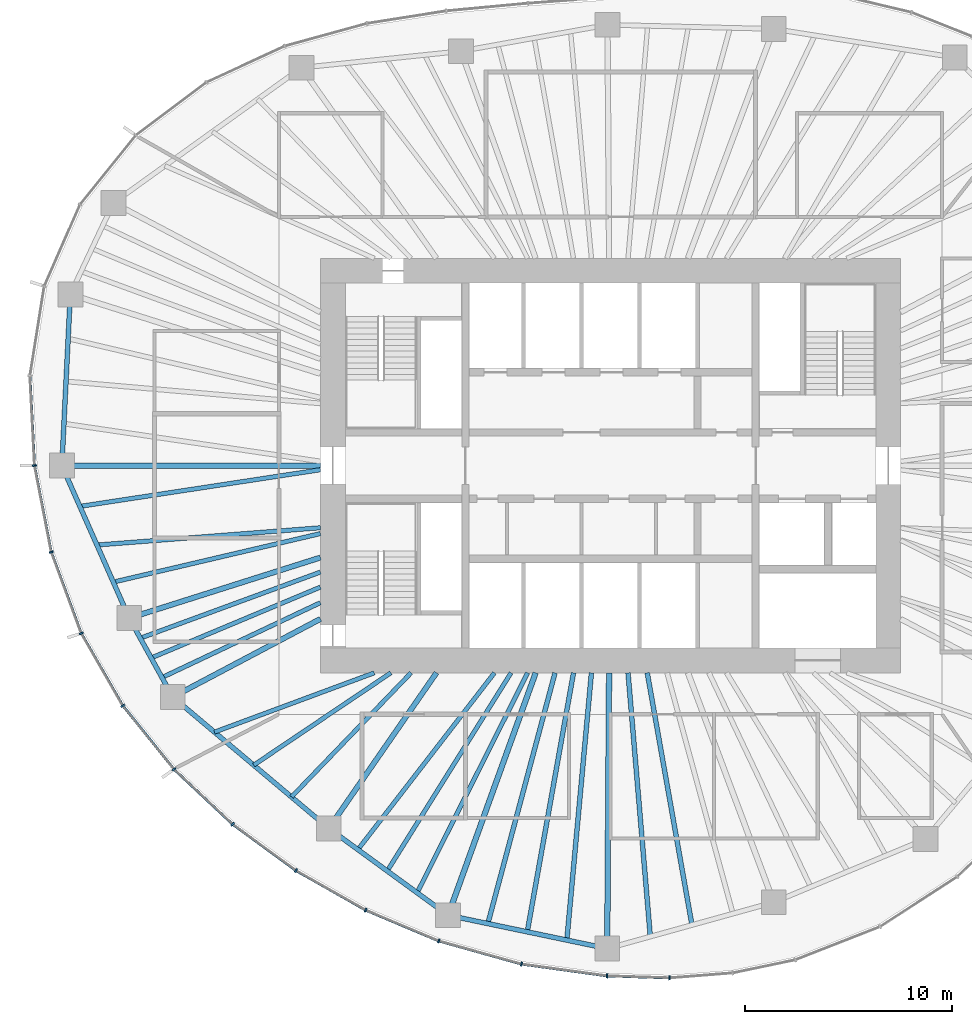
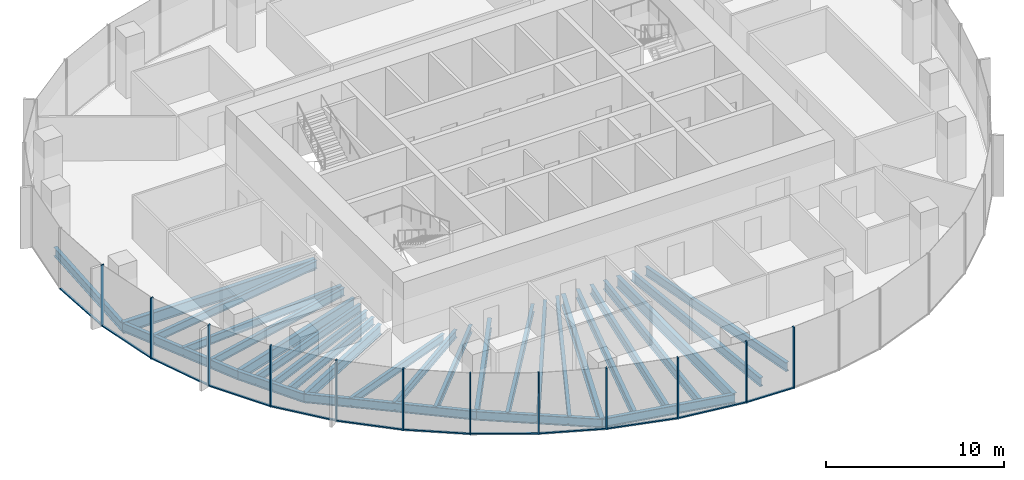
# One storey, part 2 of 11: 29 beams, 24 members, 7 elements without a shape of their own.
"""IFC4 building model written with IfcOpenShell, lengths in metres."""

import ifcopenshell
import ifcopenshell.guid

model = None  # the IFC model being written
_history = None  # IfcOwnerHistory: only IFC2X3 demands one
_inside = {}  # id of a spatial element -> (the spatial element, [elements in it])
_under = {}  # id of a project, library or spatial element -> (it, [spatial elements below it])
_declared = {}  # id of a project -> (the project, [libraries it declares])
_typed = {}  # id of a type object -> (the type object, [elements of that type])
_made_of = {}  # id of a material, layer set ... -> (it, [elements and type objects made of it])


def new_model(schema):
    """Start an empty IFC model of exactly this schema.

    Asked for "IFC4X3", IfcOpenShell would pick the latest addendum, in which some entities
    have other attributes; the version numbers below select the first issue.
    IFC2X3 requires an IfcOwnerHistory on every rooted entity: one is made here for all.
    """
    global model, _history
    if schema == "IFC4X3":
        model = ifcopenshell.file(schema_version=(4, 3, 0, 0))
    else:
        model = ifcopenshell.file(schema=schema)
    _inside.clear()
    _under.clear()
    _declared.clear()
    _typed.clear()
    _made_of.clear()
    _history = None
    if model.schema == "IFC2X3":
        org = make("IfcOrganization", Name="unknown")
        user = make(
            "IfcPersonAndOrganization",
            ThePerson=make("IfcPerson", FamilyName="unknown"),
            TheOrganization=org,
        )
        app = make(
            "IfcApplication",
            ApplicationDeveloper=org,
            Version="unknown",
            ApplicationFullName="unknown",
            ApplicationIdentifier="unknown",
        )
        _history = make(
            "IfcOwnerHistory",
            OwningUser=user,
            OwningApplication=app,
            ChangeAction="ADDED",
            CreationDate=0,
        )
    return model


def make(cls, **values):
    """One entity of the class cls with the attributes given. An attribute that is None is left unset."""
    return model.create_entity(
        cls, **{name: value for name, value in values.items() if value is not None}
    )


def rooted(cls, **values):
    """An entity with a GlobalId (a new one), such as an element, a storey or a relation."""
    return make(cls, GlobalId=ifcopenshell.guid.new(), OwnerHistory=_history, **values)


def si_unit(unit_type, name, prefix=None):
    """IfcSIUnit, for example si_unit("LENGTHUNIT", "METRE", prefix="MILLI")."""
    return make("IfcSIUnit", UnitType=unit_type, Prefix=prefix, Name=name)


def assignment(units):
    """IfcUnitAssignment: the units of a project."""
    return None if units is None else make("IfcUnitAssignment", Units=units)


def point(xyz):
    """IfcCartesianPoint."""
    return None if xyz is None else make("IfcCartesianPoint", Coordinates=xyz)


def direction(xyz):
    """IfcDirection."""
    return None if xyz is None else make("IfcDirection", DirectionRatios=xyz)


def frame(location, z_axis=None, x_axis=None):
    """IfcAxis2Placement3D, a coordinate frame: its origin and axes. An axis left out is left unset."""
    return make(
        "IfcAxis2Placement3D",
        Location=point(location),
        Axis=direction(z_axis),
        RefDirection=direction(x_axis),
    )


def frame_2d(location, x_axis=None):
    """IfcAxis2Placement2D, a coordinate frame in the plane: its origin and x axis."""
    return make(
        "IfcAxis2Placement2D", Location=point(location), RefDirection=direction(x_axis)
    )


def origin():
    """The frame at (0, 0, 0) with its axes left unset."""
    return frame((0.0, 0.0, 0.0))


def origin_2d():
    """The frame at (0, 0) in the plane with its x axis left unset."""
    return frame_2d((0.0, 0.0))


def place(relative_to, where):
    """IfcLocalPlacement: puts the frame where relative to a parent placement (None: the world)."""
    return make(
        "IfcLocalPlacement", PlacementRelTo=relative_to, RelativePlacement=where
    )


def context(
    kind, dimensions, precision=None, world=None, true_north=None, identifier=None
):
    """IfcGeometricRepresentationContext, for example the 3D "Model" context."""
    return make(
        "IfcGeometricRepresentationContext",
        ContextIdentifier=identifier,
        ContextType=kind,
        CoordinateSpaceDimension=dimensions,
        Precision=precision,
        WorldCoordinateSystem=world,
        TrueNorth=true_north,
    )


def subcontext(parent, identifier, kind, view, scale=None):
    """IfcGeometricRepresentationSubContext, for example "Body" below "Model"."""
    return make(
        "IfcGeometricRepresentationSubContext",
        ContextIdentifier=identifier,
        ContextType=kind,
        ParentContext=parent,
        TargetScale=scale,
        TargetView=view,
    )


def project(units=None, contexts=None):
    """IfcProject with its units and contexts."""
    return rooted(
        "IfcProject",
        Name="project",
        RepresentationContexts=contexts,
        UnitsInContext=assignment(units),
    )


def spatial(cls, under=None, at=None, **own):
    """A site, building, storey or space (cls), placed at a placement, below another one or the project."""
    s = rooted(cls, ObjectPlacement=at, **own)
    if under is not None:
        _under.setdefault(under.id(), (under, []))[1].append(s)
    return s


def profile(cls, at=None, kind="AREA", **sizes):
    """A parametric profile (cls). Its sizes go by their IFC names, for example OverallWidth=200.0."""
    return make(cls, ProfileType=kind, Position=at, **sizes)


def rectangle(**sizes):
    """IfcRectangleProfileDef."""
    return profile("IfcRectangleProfileDef", **sizes)


def i_section(**sizes):
    """IfcIShapeProfileDef."""
    return profile("IfcIShapeProfileDef", **sizes)


def extrude(swept, where, along, depth):
    """IfcExtrudedAreaSolid: the profile swept, set in the frame where, extruded along a direction by depth."""
    return make(
        "IfcExtrudedAreaSolid",
        SweptArea=swept,
        Position=where,
        ExtrudedDirection=direction(along),
        Depth=depth,
    )


def shape(context_of_items, identifier, shape_type, items):
    """IfcShapeRepresentation: the items that make up one representation, for example the "Body"."""
    return make(
        "IfcShapeRepresentation",
        ContextOfItems=context_of_items,
        RepresentationIdentifier=identifier,
        RepresentationType=shape_type,
        Items=items,
    )


def material(Name=None, Category=None):
    """IfcMaterial."""
    return make("IfcMaterial", Name=Name, Category=Category)


def material_profile(
    of_material, cross_section, Name=None, Category=None, Priority=None
):
    """IfcMaterialProfile: a cross section and its material."""
    return make(
        "IfcMaterialProfile",
        Name=Name,
        Material=of_material,
        Profile=cross_section,
        Priority=Priority,
        Category=Category,
    )


def profile_set(profiles, Name=None, composite=None):
    """IfcMaterialProfileSet."""
    return make(
        "IfcMaterialProfileSet",
        Name=Name,
        MaterialProfiles=profiles,
        CompositeProfile=composite,
    )


def made_of(thing, what):
    """Note that an element or type object is made of a material, layer set ...; save() writes the relation."""
    if what is not None:
        _made_of.setdefault(what.id(), (what, []))[1].append(thing)
    return thing


def type_object(cls, material=None, **own):
    """A type object (cls), such as IfcWallType, which elements share."""
    return made_of(rooted(cls, **own), material)


def element(
    cls,
    number,
    at=None,
    inside=None,
    cuts=None,
    type_object=None,
    material=None,
    context=None,
    identifier="Body",
    shape_type=None,
    held_by="IfcProductDefinitionShape",
    body=None,
    shapes=None,
    **own,
):
    """One element of the class cls, such as IfcWall. Its Tag is "e" and its number.

    at: its placement. inside: the storey or other place that contains it. cuts: it is an
    opening in that element (IfcRelVoidsElement). A single representation is given by context,
    identifier, shape_type and body (its items); several are given by shapes. held_by: the class
    of the entity that holds the representations. save() writes the other relations.
    """
    e = rooted(cls, Tag="e%d" % number, ObjectPlacement=at, **own)
    if body is not None:
        shapes = [shape(context, identifier, shape_type, body)]
    if shapes is not None:
        e.Representation = make(held_by, Representations=shapes)
    if inside is not None:
        _inside.setdefault(inside.id(), (inside, []))[1].append(e)
    if cuts is not None:
        rooted(
            "IfcRelVoidsElement", RelatingBuildingElement=cuts, RelatedOpeningElement=e
        )
    if type_object is not None:
        _typed.setdefault(type_object.id(), (type_object, []))[1].append(e)
    return made_of(e, material)


def aggregate(whole, parts):
    """IfcRelAggregates: a whole, such as a stair, and the parts it consists of."""
    return rooted("IfcRelAggregates", RelatingObject=whole, RelatedObjects=parts)


def save(model, path):
    """Write the relations noted so far, then the file.

    IfcRelAggregates (storeys below a building ...), IfcRelContainedInSpatialStructure (elements
    in a storey), IfcRelDefinesByType, IfcRelAssociatesMaterial and IfcRelDeclares: one each for
    every whole, place, type object, material and project.
    """
    for whole, parts in _under.values():
        aggregate(whole, parts)
    for where, things in _inside.values():
        rooted(
            "IfcRelContainedInSpatialStructure",
            RelatedElements=things,
            RelatingStructure=where,
        )
    for kind, things in _typed.values():
        rooted("IfcRelDefinesByType", RelatedObjects=things, RelatingType=kind)
    for what, things in _made_of.values():
        rooted("IfcRelAssociatesMaterial", RelatedObjects=things, RelatingMaterial=what)
    for by, libraries in _declared.values():
        rooted("IfcRelDeclares", RelatingContext=by, RelatedDefinitions=libraries)
    model.write(path)


model = new_model("IFC4")

# Units and contexts
model_context = context("Model", 3, precision=1e-05, world=origin(), true_north=direction((0.0, 1.0)))
body_context = subcontext(model_context, "Body", "Model", "MODEL_VIEW")
ifc_project = project(units=[si_unit("LENGTHUNIT", "METRE"), si_unit("AREAUNIT", "SQUARE_METRE"), si_unit("VOLUMEUNIT", "CUBIC_METRE"), si_unit("PLANEANGLEUNIT", "RADIAN"), si_unit("MASSUNIT", "GRAM", prefix="KILO")], contexts=[model_context])

# Site, building, storey
site_placement = place(None, origin())
site = spatial("IfcSite", under=ifc_project, at=site_placement, CompositionType="ELEMENT")
building_placement = place(site_placement, origin())
building = spatial("IfcBuilding", under=site, at=building_placement, Name="Ghaith Harvest Tower", CompositionType="ELEMENT")
storey_placement = place(building_placement, frame((0.0, 0.0, 257.800048828125)))
storey = spatial("IfcBuildingStorey", under=building, at=storey_placement, Name="L57", CompositionType="ELEMENT", Elevation=257.800048828125)

# Curtain wall, members
ifc_material_1 = material(Name="Black anodised aluminium and fritted glass", Category="aluminium")
curtain_wall_type = type_object("IfcCurtainWallType", Name="CW-H CURTAIN WALL", PredefinedType="NOTDEFINED", material=ifc_material_1)
curtain_wall_1_placement = place(storey_placement, origin())
curtain_wall_1 = element("IfcCurtainWall", 1, at=curtain_wall_1_placement, inside=storey, type_object=curtain_wall_type, Name="Curtain wall CW-H bay 11 L57", PredefinedType="NOTDEFINED")
ifc_material_2 = material(Name="Aluminium, black anodised", Category="aluminium")
ifc_material_profile_1 = material_profile(ifc_material_2, rectangle(XDim=0.080078125, YDim=0.199951171875, at=origin_2d()), Name="CW-H MULLION 80x200")
ifc_profile_set_1 = profile_set([ifc_material_profile_1], Name="Aluminium, black anodised")
member_type_1 = type_object("IfcMemberType", Name="CW-H MULLION 80x200", PredefinedType="MULLION", material=ifc_profile_set_1)
member_1_placement = place(storey_placement, frame((-27.794921875, 0.0, 0.0), z_axis=(0.0, 0.0, 1.0), x_axis=(0.12024996575, -0.992743645528, 0.0)))
member_1 = element("IfcMember", 2, at=member_1_placement, type_object=member_type_1, Name="CW-H mullion 1 bay 11 L57", PredefinedType="MULLION", context=body_context, shape_type="SweptSolid", body=[
    extrude(rectangle(XDim=0.080078125, YDim=0.199951171875, at=origin_2d()), origin(), (0.0, 0.0, 1.0), 4.199951171875),
])
member_2_placement = place(storey_placement, frame((-26.9853515625, -4.173828125, 0.0), z_axis=(0.0, 0.0, 1.0), x_axis=(0.268568830903, -0.963260495955, 0.0)))
member_2 = element("IfcMember", 3, at=member_2_placement, type_object=member_type_1, Name="CW-H mullion 2 bay 11 L57", PredefinedType="MULLION", context=body_context, shape_type="SweptSolid", body=[
    extrude(rectangle(XDim=0.080078125, YDim=0.199951171875, at=origin_2d()), origin(), (0.0, 0.0, 1.0), 4.199951171875),
])

curtain_wall_2_placement = place(storey_placement, origin())
curtain_wall_2 = element("IfcCurtainWall", 4, at=curtain_wall_2_placement, inside=storey, type_object=curtain_wall_type, Name="Curtain wall CW-H bay 12 L57", PredefinedType="NOTDEFINED")
member_3_placement = place(storey_placement, frame((-25.538330078125, -8.093505859375, 0.0), z_axis=(0.0, 0.0, 1.0), x_axis=(0.422308650185, -0.906452096903, 0.0)))
member_3 = element("IfcMember", 5, at=member_3_placement, type_object=member_type_1, Name="CW-H mullion 1 bay 12 L57", PredefinedType="MULLION", context=body_context, shape_type="SweptSolid", body=[
    extrude(rectangle(XDim=0.080078125, YDim=0.199951171875, at=origin_2d()), origin(), (0.0, 0.0, 1.0), 4.199951171875),
])
member_4_placement = place(storey_placement, frame((-23.533203125, -11.58349609375, 0.0), z_axis=(0.0, 0.0, 1.0), x_axis=(0.563616546013, -0.826036554312, 0.0)))
member_4 = element("IfcMember", 6, at=member_4_placement, type_object=member_type_1, Name="CW-H mullion 2 bay 12 L57", PredefinedType="MULLION", context=body_context, shape_type="SweptSolid", body=[
    extrude(rectangle(XDim=0.080078125, YDim=0.199951171875, at=origin_2d()), origin(), (0.0, 0.0, 1.0), 4.199951171875),
])

curtain_wall_3_placement = place(storey_placement, origin())
curtain_wall_3 = element("IfcCurtainWall", 7, at=curtain_wall_3_placement, inside=storey, type_object=curtain_wall_type, Name="Curtain wall CW-H bay 13 L57", PredefinedType="NOTDEFINED")
member_5_placement = place(storey_placement, frame((-21.0615234375, -14.65478515625, 0.0), z_axis=(0.0, 0.0, 1.0), x_axis=(0.679181589754, -0.733970277422, 0.0)))
member_5 = element("IfcMember", 8, at=member_5_placement, type_object=member_type_1, Name="CW-H mullion 1 bay 13 L57", PredefinedType="MULLION", context=body_context, shape_type="SweptSolid", body=[
    extrude(rectangle(XDim=0.080078125, YDim=0.199951171875, at=origin_2d()), origin(), (0.0, 0.0, 1.0), 4.199951171875),
])
member_6_placement = place(storey_placement, frame((-18.238037109375, -17.30615234375, 0.0), z_axis=(0.0, 0.0, 1.0), x_axis=(0.769216709506, -0.638987991919, 0.0)))
member_6 = element("IfcMember", 9, at=member_6_placement, type_object=member_type_1, Name="CW-H mullion 2 bay 13 L57", PredefinedType="MULLION", context=body_context, shape_type="SweptSolid", body=[
    extrude(rectangle(XDim=0.080078125, YDim=0.199951171875, at=origin_2d()), origin(), (0.0, 0.0, 1.0), 4.199951171875),
])

curtain_wall_4_placement = place(storey_placement, origin())
curtain_wall_4 = element("IfcCurtainWall", 10, at=curtain_wall_4_placement, inside=storey, type_object=curtain_wall_type, Name="Curtain wall CW-H bay 14 L57", PredefinedType="NOTDEFINED")
member_7_placement = place(storey_placement, frame((-15.177490234375, -19.542724609375, 0.0), z_axis=(0.0, 0.0, 1.0), x_axis=(0.840233591157, -0.5422245958, 0.0)))
member_7 = element("IfcMember", 11, at=member_7_placement, type_object=member_type_1, Name="CW-H mullion 1 bay 14 L57", PredefinedType="MULLION", context=body_context, shape_type="SweptSolid", body=[
    extrude(rectangle(XDim=0.080078125, YDim=0.199951171875, at=origin_2d()), origin(), (0.0, 0.0, 1.0), 4.199951171875),
])
member_8_placement = place(storey_placement, frame((-11.815185546875, -21.45068359375, 0.0), z_axis=(0.0, 0.0, 1.0), x_axis=(0.896852966189, -0.442328788389, 0.0)))
member_8 = element("IfcMember", 12, at=member_8_placement, type_object=member_type_1, Name="CW-H mullion 2 bay 14 L57", PredefinedType="MULLION", context=body_context, shape_type="SweptSolid", body=[
    extrude(rectangle(XDim=0.080078125, YDim=0.199951171875, at=origin_2d()), origin(), (0.0, 0.0, 1.0), 4.199951171875),
])

curtain_wall_5_placement = place(storey_placement, origin())
curtain_wall_5 = element("IfcCurtainWall", 13, at=curtain_wall_5_placement, inside=storey, type_object=curtain_wall_type, Name="Curtain wall CW-H bay 15 L57", PredefinedType="NOTDEFINED")
member_9_placement = place(storey_placement, frame((-8.285888671875, -22.941650390625, 0.0), z_axis=(0.0, 0.0, 1.0), x_axis=(0.944906041636, -0.327341675439, 0.0)))
member_9 = element("IfcMember", 14, at=member_9_placement, type_object=member_type_1, Name="CW-H mullion 1 bay 15 L57", PredefinedType="MULLION", context=body_context, shape_type="SweptSolid", body=[
    extrude(rectangle(XDim=0.080078125, YDim=0.199951171875, at=origin_2d()), origin(), (0.0, 0.0, 1.0), 4.199951171875),
])
member_10_placement = place(storey_placement, frame((-4.2958984375, -24.0556640625, 0.0), z_axis=(0.0, 0.0, 1.0), x_axis=(0.979161388311, -0.203083666601, 0.0)))
member_10 = element("IfcMember", 15, at=member_10_placement, type_object=member_type_1, Name="CW-H mullion 2 bay 15 L57", PredefinedType="MULLION", context=body_context, shape_type="SweptSolid", body=[
    extrude(rectangle(XDim=0.080078125, YDim=0.199951171875, at=origin_2d()), origin(), (0.0, 0.0, 1.0), 4.199951171875),
])

curtain_wall_6_placement = place(storey_placement, origin())
curtain_wall_6 = element("IfcCurtainWall", 16, at=curtain_wall_6_placement, inside=storey, type_object=curtain_wall_type, Name="Curtain wall CW-H bay 16 L57", PredefinedType="NOTDEFINED")
member_11_placement = place(storey_placement, frame((-0.16845703125, -24.625244140625, 0.0), z_axis=(0.0, 0.0, 1.0), x_axis=(0.99568459113, -0.092801912617, 0.0)))
member_11 = element("IfcMember", 17, at=member_11_placement, type_object=member_type_1, Name="CW-H mullion 1 bay 16 L57", PredefinedType="MULLION", context=body_context, shape_type="SweptSolid", body=[
    extrude(rectangle(XDim=0.080078125, YDim=0.199951171875, at=origin_2d()), origin(), (0.0, 0.0, 1.0), 4.199951171875),
])
member_12_placement = place(storey_placement, frame((2.84765625, -24.721435546875, 0.0), z_axis=(0.0, 0.0, 1.0), x_axis=(0.999724413906, 0.02347543907, 0.0)))
member_12 = element("IfcMember", 18, at=member_12_placement, type_object=member_type_1, Name="CW-H mullion 2 bay 16 L57", PredefinedType="MULLION", context=body_context, shape_type="SweptSolid", body=[
    extrude(rectangle(XDim=0.080078125, YDim=0.199951171875, at=origin_2d()), origin(), (0.0, 0.0, 1.0), 4.199951171875),
])

# Curtain wall, member
curtain_wall_7_placement = place(storey_placement, origin())
curtain_wall_7 = element("IfcCurtainWall", 19, at=curtain_wall_7_placement, inside=storey, type_object=curtain_wall_type, Name="Curtain wall CW-H bay 10 L57", PredefinedType="NOTDEFINED")
ifc_material_3 = material(Name="Aluminium, black anodised", Category="aluminium")
ifc_material_profile_2 = material_profile(ifc_material_3, rectangle(XDim=0.1298828125, YDim=0.080078125, at=origin_2d()), Name="CW-H TRANSOM 130x80")
ifc_profile_set_2 = profile_set([ifc_material_profile_2], Name="Aluminium, black anodised")
member_type_2 = type_object("IfcMemberType", Name="CW-H TRANSOM 130x80", PredefinedType="USERDEFINED", material=ifc_profile_set_2)
member_13_placement = place(storey_placement, frame((-28.013671875, 4.293212890625, 0.0400390625), z_axis=(0.05084969311, -0.998706317548, 0.0), x_axis=(0.998706317548, 0.05084969311, 0.0)))
member_13 = element("IfcMember", 20, at=member_13_placement, type_object=member_type_2, Name="CW-H transom 2 bay 10 L57", ObjectType="TRANSOM", PredefinedType="USERDEFINED", context=body_context, shape_type="SweptSolid", body=[
    extrude(rectangle(XDim=0.1298828125, YDim=0.080078125, at=origin_2d()), origin(), (0.0, 0.0, 1.0), 4.2587890625),
])
aggregate(curtain_wall_7, [member_13])

# Member
member_14_placement = place(storey_placement, frame((-27.787353515625, -0.039306640625, 0.0400390625), z_axis=(0.190440428338, -0.981698753821, 0.0), x_axis=(0.981698753821, 0.190440428338, 0.0)))
member_14 = element("IfcMember", 21, at=member_14_placement, type_object=member_type_2, Name="CW-H transom 1 bay 11 L57", ObjectType="TRANSOM", PredefinedType="USERDEFINED", context=body_context, shape_type="SweptSolid", body=[
    extrude(rectangle(XDim=0.1298828125, YDim=0.080078125, at=origin_2d()), origin(), (0.0, 0.0, 1.0), 4.171630859375),
])

member_15_placement = place(storey_placement, frame((-26.971435546875, -4.21142578125, 0.0400390625), z_axis=(0.346287782987, -0.93812833416, 0.0), x_axis=(0.93812833416, 0.346287782987, 0.0)))
member_15 = element("IfcMember", 22, at=member_15_placement, type_object=member_type_2, Name="CW-H transom 2 bay 11 L57", ObjectType="TRANSOM", PredefinedType="USERDEFINED", context=body_context, shape_type="SweptSolid", body=[
    extrude(rectangle(XDim=0.1298828125, YDim=0.080078125, at=origin_2d()), origin(), (0.0, 0.0, 1.0), 4.098388671875),
])

aggregate(curtain_wall_1, [member_1, member_14, member_2, member_15])

member_16_placement = place(storey_placement, frame((-25.5185546875, -8.128173828125, 0.0400390625), z_axis=(0.498176929488, -0.86707539864, 0.0), x_axis=(0.86707539864, 0.498176929488, 0.0)))
member_16 = element("IfcMember", 23, at=member_16_placement, type_object=member_type_2, Name="CW-H transom 1 bay 12 L57", ObjectType="TRANSOM", PredefinedType="USERDEFINED", context=body_context, shape_type="SweptSolid", body=[
    extrude(rectangle(XDim=0.1298828125, YDim=0.080078125, at=origin_2d()), origin(), (0.0, 0.0, 1.0), 3.945068359375),
])

member_17_placement = place(storey_placement, frame((-23.508056640625, -11.61474609375, 0.0400390625), z_axis=(0.626958878139, -0.779052350694, 0.0), x_axis=(0.779052350694, 0.626958878139, 0.0)))
member_17 = element("IfcMember", 24, at=member_17_placement, type_object=member_type_2, Name="CW-H transom 2 bay 12 L57", ObjectType="TRANSOM", PredefinedType="USERDEFINED", context=body_context, shape_type="SweptSolid", body=[
    extrude(rectangle(XDim=0.1298828125, YDim=0.080078125, at=origin_2d()), origin(), (0.0, 0.0, 1.0), 3.862060546875),
])

aggregate(curtain_wall_2, [member_3, member_16, member_4, member_17])

member_18_placement = place(storey_placement, frame((-21.032470703125, -14.68212890625, 0.0400390625), z_axis=(0.729025183709, -0.684486874613, 0.0), x_axis=(0.684486874613, 0.729025183709, 0.0)))
member_18 = element("IfcMember", 25, at=member_18_placement, type_object=member_type_2, Name="CW-H transom 1 bay 13 L57", ObjectType="TRANSOM", PredefinedType="USERDEFINED", context=body_context, shape_type="SweptSolid", body=[
    extrude(rectangle(XDim=0.1298828125, YDim=0.080078125, at=origin_2d()), origin(), (0.0, 0.0, 1.0), 3.793212890625),
])

member_19_placement = place(storey_placement, frame((-18.20556640625, -17.32958984375, 0.0400390625), z_axis=(0.807368217185, -0.590047931849, 0.0), x_axis=(0.590047931849, 0.807368217185, 0.0)))
member_19 = element("IfcMember", 26, at=member_19_placement, type_object=member_type_2, Name="CW-H transom 2 bay 13 L57", ObjectType="TRANSOM", PredefinedType="USERDEFINED", context=body_context, shape_type="SweptSolid", body=[
    extrude(rectangle(XDim=0.1298828125, YDim=0.080078125, at=origin_2d()), origin(), (0.0, 0.0, 1.0), 3.710693359375),
])

aggregate(curtain_wall_3, [member_5, member_18, member_6, member_19])

member_20_placement = place(storey_placement, frame((-15.142822265625, -19.5625, 0.0400390625), z_axis=(0.869735291487, -0.493518513068, 0.0), x_axis=(0.493518513068, 0.869735291487, 0.0)))
member_20 = element("IfcMember", 27, at=member_20_placement, type_object=member_type_2, Name="CW-H transom 1 bay 14 L57", ObjectType="TRANSOM", PredefinedType="USERDEFINED", context=body_context, shape_type="SweptSolid", body=[
    extrude(rectangle(XDim=0.1298828125, YDim=0.080078125, at=origin_2d()), origin(), (0.0, 0.0, 1.0), 3.785888671875),
])

member_21_placement = place(storey_placement, frame((-11.7783203125, -21.46630859375, 0.0400390625), z_axis=(0.921182691948, -0.38913037411, 0.0), x_axis=(0.38913037411, 0.921182691948, 0.0)))
member_21 = element("IfcMember", 28, at=member_21_placement, type_object=member_type_2, Name="CW-H transom 2 bay 14 L57", ObjectType="TRANSOM", PredefinedType="USERDEFINED", context=body_context, shape_type="SweptSolid", body=[
    extrude(rectangle(XDim=0.1298828125, YDim=0.080078125, at=origin_2d()), origin(), (0.0, 0.0, 1.0), 3.751220703125),
])

aggregate(curtain_wall_4, [member_7, member_20, member_8, member_21])

member_22_placement = place(storey_placement, frame((-8.24755859375, -22.952392578125, 0.0400390625), z_axis=(0.963164092269, -0.268914356932, 0.0), x_axis=(0.268914356932, 0.963164092269, 0.0)))
member_22 = element("IfcMember", 29, at=member_22_placement, type_object=member_type_2, Name="CW-H transom 1 bay 15 L57", ObjectType="TRANSOM", PredefinedType="USERDEFINED", context=body_context, shape_type="SweptSolid", body=[
    extrude(rectangle(XDim=0.1298828125, YDim=0.080078125, at=origin_2d()), origin(), (0.0, 0.0, 1.0), 4.062744140625),
])

member_23_placement = place(storey_placement, frame((-4.25634765625, -24.06103515625, 0.0400390625), z_axis=(0.990605228149, -0.136752630555, 0.0), x_axis=(0.136752630555, 0.990605228149, 0.0)))
member_23 = element("IfcMember", 30, at=member_23_placement, type_object=member_type_2, Name="CW-H transom 2 bay 15 L57", ObjectType="TRANSOM", PredefinedType="USERDEFINED", context=body_context, shape_type="SweptSolid", body=[
    extrude(rectangle(XDim=0.1298828125, YDim=0.080078125, at=origin_2d()), origin(), (0.0, 0.0, 1.0), 4.08642578125),
])

aggregate(curtain_wall_5, [member_9, member_22, member_10, member_23])

member_24_placement = place(storey_placement, frame((-0.128662109375, -24.62646484375, 0.0400390625), z_axis=(0.999490770233, -0.031909249731, 0.0), x_axis=(0.031909249731, 0.999490770233, 0.0)))
member_24 = element("IfcMember", 31, at=member_24_placement, type_object=member_type_2, Name="CW-H transom 1 bay 16 L57", ObjectType="TRANSOM", PredefinedType="USERDEFINED", context=body_context, shape_type="SweptSolid", body=[
    extrude(rectangle(XDim=0.1298828125, YDim=0.080078125, at=origin_2d()), origin(), (0.0, 0.0, 1.0), 2.93798828125),
])

aggregate(curtain_wall_6, [member_11, member_24, member_12])

# Beams
ifc_material_4 = material(Name="Steel ASTM A992 Grade 50", Category="steel")
ifc_material_profile_3 = material_profile(ifc_material_4, i_section(OverallWidth=0.22900390625, OverallDepth=0.612060546875, WebThickness=0.011962890625, FlangeThickness=0.01953125, at=origin_2d()), Name="W610X125")
ifc_profile_set_3 = profile_set([ifc_material_profile_3], Name="Steel ASTM A992 Grade 50")
beam_type_1 = type_object("IfcBeamType", Name="E610-125 W610X125", PredefinedType="SPANDREL", material=ifc_profile_set_3)
beam_1_placement = place(storey_placement, frame((-26.06689453125, 8.260986328125, -0.47607421875), z_axis=(-0.049353148492, -0.998781390863, 0.0), x_axis=(0.998781390863, -0.049353148492, 0.0)))
element("IfcBeam", 32, at=beam_1_placement, inside=storey, type_object=beam_type_1, Name="Edge beam E10 L57", PredefinedType="SPANDREL", context=body_context, shape_type="SweptSolid", body=[
    extrude(i_section(OverallWidth=0.22900390625, OverallDepth=0.612060546875, WebThickness=0.011962890625, FlangeThickness=0.01953125, at=origin_2d()), origin(), (0.0, 0.0, 1.0), 8.27099609375),
])
beam_2_placement = place(storey_placement, frame((-26.47509765625, 0.0, -0.47607421875), z_axis=(0.404042817399, -0.914740073304, 0.0), x_axis=(0.914740073304, 0.404042817399, 0.0)))
element("IfcBeam", 33, at=beam_2_placement, inside=storey, type_object=beam_type_1, Name="Edge beam E11 L57", PredefinedType="SPANDREL", context=body_context, shape_type="SweptSolid", body=[
    extrude(i_section(OverallWidth=0.22900390625, OverallDepth=0.612060546875, WebThickness=0.011962890625, FlangeThickness=0.01953125, at=origin_2d()), origin(), (0.0, 0.0, 1.0), 8.046142578125),
])
beam_3_placement = place(storey_placement, frame((-23.22412109375, -7.360107421875, -0.47607421875), z_axis=(0.482955575345, -0.875644855089, 0.0), x_axis=(0.875644855089, 0.482955575345, 0.0)))
element("IfcBeam", 34, at=beam_3_placement, inside=storey, type_object=beam_type_1, Name="Edge beam E12 L57", PredefinedType="SPANDREL", context=body_context, shape_type="SweptSolid", body=[
    extrude(i_section(OverallWidth=0.22900390625, OverallDepth=0.612060546875, WebThickness=0.011962890625, FlangeThickness=0.01953125, at=origin_2d()), origin(), (0.0, 0.0, 1.0), 4.346435546875),
])
beam_4_placement = place(storey_placement, frame((-21.125, -11.166015625, -0.47607421875), z_axis=(0.765021818761, -0.64400436087, 0.0), x_axis=(0.64400436087, 0.765021818761, 0.0)))
element("IfcBeam", 35, at=beam_4_placement, inside=storey, type_object=beam_type_1, Name="Edge beam E13 L57", PredefinedType="SPANDREL", context=body_context, shape_type="SweptSolid", body=[
    extrude(i_section(OverallWidth=0.22900390625, OverallDepth=0.612060546875, WebThickness=0.011962890625, FlangeThickness=0.01953125, at=origin_2d()), origin(), (0.0, 0.0, 1.0), 9.8427734375),
])
beam_5_placement = place(storey_placement, frame((-13.594970703125, -17.5048828125, -0.47607421875), z_axis=(0.808194782503, -0.588915268553, 0.0), x_axis=(0.588915268553, 0.808194782503, 0.0)))
element("IfcBeam", 36, at=beam_5_placement, inside=storey, type_object=beam_type_1, Name="Edge beam E14 L57", PredefinedType="SPANDREL", context=body_context, shape_type="SweptSolid", body=[
    extrude(i_section(OverallWidth=0.22900390625, OverallDepth=0.612060546875, WebThickness=0.011962890625, FlangeThickness=0.01953125, at=origin_2d()), origin(), (0.0, 0.0, 1.0), 7.123291015625),
])
beam_6_placement = place(storey_placement, frame((-7.837890625, -21.699951171875, -0.47607421875), z_axis=(0.978847910797, -0.20458926543, 0.0), x_axis=(0.20458926543, 0.978847910797, 0.0)))
element("IfcBeam", 37, at=beam_6_placement, inside=storey, type_object=beam_type_1, Name="Edge beam E15 L57", PredefinedType="SPANDREL", context=body_context, shape_type="SweptSolid", body=[
    extrude(i_section(OverallWidth=0.22900390625, OverallDepth=0.612060546875, WebThickness=0.011962890625, FlangeThickness=0.01953125, at=origin_2d()), origin(), (0.0, 0.0, 1.0), 7.844970703125),
])
ifc_material_5 = material(Name="Steel ASTM A992 Grade 50", Category="steel")
ifc_material_profile_4 = material_profile(ifc_material_5, i_section(OverallWidth=0.256103515625, OverallDepth=0.693115234375, WebThickness=0.014404296875, FlangeThickness=0.023681640625, at=origin_2d()), Name="W690X170")
ifc_profile_set_4 = profile_set([ifc_material_profile_4], Name="Steel ASTM A992 Grade 50")
beam_type_2 = type_object("IfcBeamType", Name="G690-170 W690X170", PredefinedType="BEAM", material=ifc_profile_set_4)
beam_7_placement = place(storey_placement, frame((-14.0, -4.43701171875, -0.5166015625), z_axis=(-0.953279028151, -0.302091202267, 0.0), x_axis=(0.302091202267, -0.953279028151, 0.0)))
element("IfcBeam", 38, at=beam_7_placement, inside=storey, type_object=beam_type_2, Name="Radial girder G12 L57", PredefinedType="BEAM", context=body_context, shape_type="SweptSolid", body=[
    extrude(i_section(OverallWidth=0.256103515625, OverallDepth=0.693115234375, WebThickness=0.014404296875, FlangeThickness=0.023681640625, at=origin_2d()), origin(), (0.0, 0.0, 1.0), 9.67626953125),
])
beam_8_placement = place(storey_placement, frame((-14.0, -7.39990234375, -0.5166015625), z_axis=(-0.88409279474, -0.46731138472, 0.0), x_axis=(0.46731138472, -0.88409279474, 0.0)))
element("IfcBeam", 39, at=beam_8_placement, inside=storey, type_object=beam_type_2, Name="Radial girder G13 L57", PredefinedType="BEAM", context=body_context, shape_type="SweptSolid", body=[
    extrude(i_section(OverallWidth=0.256103515625, OverallDepth=0.693115234375, WebThickness=0.014404296875, FlangeThickness=0.023681640625, at=origin_2d()), origin(), (0.0, 0.0, 1.0), 8.05908203125),
])
beam_9_placement = place(storey_placement, frame((-8.39990234375, -10.0, -0.5166015625), z_axis=(-0.569164078909, -0.822223966617, 0.0), x_axis=(0.822223966617, -0.569164078909, 0.0)))
element("IfcBeam", 40, at=beam_9_placement, inside=storey, type_object=beam_type_2, Name="Radial girder G14 L57", PredefinedType="BEAM", context=body_context, shape_type="SweptSolid", body=[
    extrude(i_section(OverallWidth=0.256103515625, OverallDepth=0.693115234375, WebThickness=0.014404296875, FlangeThickness=0.023681640625, at=origin_2d()), origin(), (0.0, 0.0, 1.0), 9.12744140625),
])
ifc_material_6 = material(Name="Steel ASTM A992 Grade 50", Category="steel")
ifc_material_profile_5 = material_profile(ifc_material_6, i_section(OverallWidth=0.26806640625, OverallDepth=0.77001953125, WebThickness=0.015625, FlangeThickness=0.025390625, at=origin_2d()), Name="W760X196")
ifc_profile_set_5 = profile_set([ifc_material_profile_5], Name="Steel ASTM A992 Grade 50")
beam_type_3 = type_object("IfcBeamType", Name="G760-196 W760X196", PredefinedType="BEAM", material=ifc_profile_set_5)
beam_10_placement = place(storey_placement, frame((-14.0, 0.0, -0.554931640625), z_axis=(-1.0, 0.0, 0.0), x_axis=(0.0, -1.0, 0.0)))
element("IfcBeam", 41, at=beam_10_placement, inside=storey, type_object=beam_type_3, Name="Radial girder G11 L57", PredefinedType="BEAM", context=body_context, shape_type="SweptSolid", body=[
    extrude(i_section(OverallWidth=0.26806640625, OverallDepth=0.77001953125, WebThickness=0.015625, FlangeThickness=0.025390625, at=origin_2d()), origin(), (0.0, 0.0, 1.0), 12.47509765625),
])
beam_11_placement = place(storey_placement, frame((-3.61181640625, -10.0, -0.554931640625), z_axis=(-0.339722108335, -0.940525857756, 0.0), x_axis=(0.940525857756, -0.339722108335, 0.0)))
element("IfcBeam", 42, at=beam_11_placement, inside=storey, type_object=beam_type_3, Name="Radial girder G15 L57", PredefinedType="BEAM", context=body_context, shape_type="SweptSolid", body=[
    extrude(i_section(OverallWidth=0.26806640625, OverallDepth=0.77001953125, WebThickness=0.015625, FlangeThickness=0.025390625, at=origin_2d()), origin(), (0.0, 0.0, 1.0), 12.439697265625),
])
beam_12_placement = place(storey_placement, frame((-0.068359375, -10.0, -0.554931640625), z_axis=(-0.00680755644, -0.999976828319, 0.0), x_axis=(0.999976828319, -0.00680755644, 0.0)))
element("IfcBeam", 43, at=beam_12_placement, inside=storey, type_object=beam_type_3, Name="Radial girder G16 L57", PredefinedType="BEAM", context=body_context, shape_type="SweptSolid", body=[
    extrude(i_section(OverallWidth=0.26806640625, OverallDepth=0.77001953125, WebThickness=0.015625, FlangeThickness=0.025390625, at=origin_2d()), origin(), (0.0, 0.0, 1.0), 13.30517578125),
])
ifc_material_7 = material(Name="Steel ASTM A992 Grade 50", Category="steel")
ifc_material_profile_6 = material_profile(ifc_material_7, i_section(OverallWidth=0.2109375, OverallDepth=0.5390625, WebThickness=0.01171875, FlangeThickness=0.018798828125, at=origin_2d()), Name="W530X109")
ifc_profile_set_6 = profile_set([ifc_material_profile_6], Name="Steel ASTM A992 Grade 50")
beam_type_4 = type_object("IfcBeamType", Name="J530-109 W530X109", PredefinedType="JOIST", material=ifc_profile_set_6)
beam_13_placement = place(storey_placement, frame((-14.0, -0.199951171875, -0.439453125), z_axis=(-0.988587077715, -0.150650555178, 0.0), x_axis=(0.150650555178, -0.988587077715, 0.0)))
element("IfcBeam", 44, at=beam_13_placement, inside=storey, type_object=beam_type_4, Name="Joist J11.1 L57", PredefinedType="JOIST", context=body_context, shape_type="SweptSolid", body=[
    extrude(i_section(OverallWidth=0.2109375, OverallDepth=0.5390625, WebThickness=0.01171875, FlangeThickness=0.018798828125, at=origin_2d()), origin(), (0.0, 0.0, 1.0), 11.739501953125),
])
beam_14_placement = place(storey_placement, frame((-14.0, -3.0, -0.439453125), z_axis=(-0.997028799301, -0.077029691443, 0.0), x_axis=(0.077029691443, -0.997028799301, 0.0)))
element("IfcBeam", 45, at=beam_14_placement, inside=storey, type_object=beam_type_4, Name="Joist J11.2 L57", PredefinedType="JOIST", context=body_context, shape_type="SweptSolid", body=[
    extrude(i_section(OverallWidth=0.2109375, OverallDepth=0.5390625, WebThickness=0.01171875, FlangeThickness=0.018798828125, at=origin_2d()), origin(), (0.0, 0.0, 1.0), 10.814208984375),
])
beam_15_placement = place(storey_placement, frame((-14.0, -3.280517578125, -0.439453125), z_axis=(-0.97362176086, -0.22816806696, 0.0), x_axis=(0.22816806696, -0.97362176086, 0.0)))
element("IfcBeam", 46, at=beam_15_placement, inside=storey, type_object=beam_type_4, Name="Joist J11.3 L57", PredefinedType="JOIST", context=body_context, shape_type="SweptSolid", body=[
    extrude(i_section(OverallWidth=0.2109375, OverallDepth=0.5390625, WebThickness=0.01171875, FlangeThickness=0.018798828125, at=origin_2d()), origin(), (0.0, 0.0, 1.0), 10.262451171875),
])
beam_16_placement = place(storey_placement, frame((-5.60009765625, -10.0, -0.439453125), z_axis=(-0.611412687895, -0.791311901264, 0.0), x_axis=(0.791311901264, -0.611412687895, 0.0)))
element("IfcBeam", 47, at=beam_16_placement, inside=storey, type_object=beam_type_4, Name="Joist J14.1 L57", PredefinedType="JOIST", context=body_context, shape_type="SweptSolid", body=[
    extrude(i_section(OverallWidth=0.2109375, OverallDepth=0.5390625, WebThickness=0.01171875, FlangeThickness=0.018798828125, at=origin_2d()), origin(), (0.0, 0.0, 1.0), 10.778076171875),
])
beam_17_placement = place(storey_placement, frame((-4.800048828125, -10.0, -0.439453125), z_axis=(-0.529921073682, -0.848046965484, 0.0), x_axis=(0.848046965484, -0.529921073682, 0.0)))
element("IfcBeam", 48, at=beam_17_placement, inside=storey, type_object=beam_type_4, Name="Joist J14.2 L57", PredefinedType="JOIST", context=body_context, shape_type="SweptSolid", body=[
    extrude(i_section(OverallWidth=0.2109375, OverallDepth=0.5390625, WebThickness=0.01171875, FlangeThickness=0.018798828125, at=origin_2d()), origin(), (0.0, 0.0, 1.0), 11.273681640625),
])
beam_18_placement = place(storey_placement, frame((-4.0, -10.0, -0.439453125), z_axis=(-0.448791718068, -0.893636387908, 0.0), x_axis=(0.893636387908, -0.448791718068, 0.0)))
element("IfcBeam", 49, at=beam_18_placement, inside=storey, type_object=beam_type_4, Name="Joist J14.3 L57", PredefinedType="JOIST", context=body_context, shape_type="SweptSolid", body=[
    extrude(i_section(OverallWidth=0.2109375, OverallDepth=0.5390625, WebThickness=0.01171875, FlangeThickness=0.018798828125, at=origin_2d()), origin(), (0.0, 0.0, 1.0), 11.8759765625),
])
ifc_material_8 = material(Name="Steel ASTM A992 Grade 50", Category="steel")
ifc_material_profile_7 = material_profile(ifc_material_8, i_section(OverallWidth=0.208984375, OverallDepth=0.532958984375, WebThickness=0.01025390625, FlangeThickness=0.015625, at=origin_2d()), Name="W530X92")
ifc_profile_set_7 = profile_set([ifc_material_profile_7], Name="Steel ASTM A992 Grade 50")
beam_type_5 = type_object("IfcBeamType", Name="J530-92 W530X92", PredefinedType="JOIST", material=ifc_profile_set_7)
beam_19_placement = place(storey_placement, frame((-14.0, -5.137939453125, -0.4365234375), z_axis=(-0.93877284801, -0.34453670318, 0.0), x_axis=(0.34453670318, -0.93877284801, 0.0)))
element("IfcBeam", 50, at=beam_19_placement, inside=storey, type_object=beam_type_5, Name="Joist J12.1 L57", PredefinedType="JOIST", context=body_context, shape_type="SweptSolid", body=[
    extrude(i_section(OverallWidth=0.208984375, OverallDepth=0.532958984375, WebThickness=0.01025390625, FlangeThickness=0.015625, at=origin_2d()), origin(), (0.0, 0.0, 1.0), 9.25732421875),
])
beam_20_placement = place(storey_placement, frame((-14.0, -5.862548828125, -0.4365234375), z_axis=(-0.922387515293, -0.386265804377, 0.0), x_axis=(0.386265804377, -0.922387515293, 0.0)))
element("IfcBeam", 51, at=beam_20_placement, inside=storey, type_object=beam_type_5, Name="Joist J12.2 L57", PredefinedType="JOIST", context=body_context, shape_type="SweptSolid", body=[
    extrude(i_section(OverallWidth=0.208984375, OverallDepth=0.532958984375, WebThickness=0.01025390625, FlangeThickness=0.015625, at=origin_2d()), origin(), (0.0, 0.0, 1.0), 8.851318359375),
])
beam_21_placement = place(storey_placement, frame((-14.0, -6.614990234375, -0.4365234375), z_axis=(-0.90415786724, -0.427198491462, 0.0), x_axis=(0.427198491462, -0.90415786724, 0.0)))
element("IfcBeam", 52, at=beam_21_placement, inside=storey, type_object=beam_type_5, Name="Joist J12.3 L57", PredefinedType="JOIST", context=body_context, shape_type="SweptSolid", body=[
    extrude(i_section(OverallWidth=0.208984375, OverallDepth=0.532958984375, WebThickness=0.01025390625, FlangeThickness=0.015625, at=origin_2d()), origin(), (0.0, 0.0, 1.0), 8.45361328125),
])
beam_22_placement = place(storey_placement, frame((-11.39990234375, -10.0, -0.4365234375), z_axis=(-0.937594001899, -0.34773191916, 0.0), x_axis=(0.34773191916, -0.937594001899, 0.0)))
element("IfcBeam", 53, at=beam_22_placement, inside=storey, type_object=beam_type_5, Name="Joist J13.1 L57", PredefinedType="JOIST", context=body_context, shape_type="SweptSolid", body=[
    extrude(i_section(OverallWidth=0.208984375, OverallDepth=0.532958984375, WebThickness=0.01025390625, FlangeThickness=0.015625, at=origin_2d()), origin(), (0.0, 0.0, 1.0), 8.225830078125),
])
beam_23_placement = place(storey_placement, frame((-10.60009765625, -10.0, -0.4365234375), z_axis=(-0.829594017544, -0.55836705316, 0.0), x_axis=(0.55836705316, -0.829594017544, 0.0)))
element("IfcBeam", 54, at=beam_23_placement, inside=storey, type_object=beam_type_5, Name="Joist J13.2 L57", PredefinedType="JOIST", context=body_context, shape_type="SweptSolid", body=[
    extrude(i_section(OverallWidth=0.208984375, OverallDepth=0.532958984375, WebThickness=0.01025390625, FlangeThickness=0.015625, at=origin_2d()), origin(), (0.0, 0.0, 1.0), 7.977783203125),
])
beam_24_placement = place(storey_placement, frame((-9.626708984375, -10.0, -0.4365234375), z_axis=(-0.693546892509, -0.720411485119, 0.0), x_axis=(0.720411485119, -0.693546892509, 0.0)))
element("IfcBeam", 55, at=beam_24_placement, inside=storey, type_object=beam_type_5, Name="Joist J13.3 L57", PredefinedType="JOIST", context=body_context, shape_type="SweptSolid", body=[
    extrude(i_section(OverallWidth=0.208984375, OverallDepth=0.532958984375, WebThickness=0.01025390625, FlangeThickness=0.015625, at=origin_2d()), origin(), (0.0, 0.0, 1.0), 8.3154296875),
])
ifc_material_9 = material(Name="Steel ASTM A992 Grade 50", Category="steel")
ifc_material_profile_8 = material_profile(ifc_material_9, i_section(OverallWidth=0.22900390625, OverallDepth=0.612060546875, WebThickness=0.011962890625, FlangeThickness=0.01953125, at=origin_2d()), Name="W610X125")
ifc_profile_set_8 = profile_set([ifc_material_profile_8], Name="Steel ASTM A992 Grade 50")
beam_type_6 = type_object("IfcBeamType", Name="J610-125 W610X125", PredefinedType="JOIST", material=ifc_profile_set_8)
beam_25_placement = place(storey_placement, frame((-2.677978515625, -10.0, -0.47607421875), z_axis=(-0.258683807585, -0.965962052926, 0.0), x_axis=(0.965962052926, -0.258683807585, 0.0)))
element("IfcBeam", 56, at=beam_25_placement, inside=storey, type_object=beam_type_6, Name="Joist J15.1 L57", PredefinedType="JOIST", context=body_context, shape_type="SweptSolid", body=[
    extrude(i_section(OverallWidth=0.22900390625, OverallDepth=0.612060546875, WebThickness=0.011962890625, FlangeThickness=0.01953125, at=origin_2d()), origin(), (0.0, 0.0, 1.0), 12.52783203125),
])
beam_26_placement = place(storey_placement, frame((-1.785888671875, -10.0, -0.47607421875), z_axis=(-0.17579463172, -0.984426862422, 0.0), x_axis=(0.984426862422, -0.17579463172, 0.0)))
element("IfcBeam", 57, at=beam_26_placement, inside=storey, type_object=beam_type_6, Name="Joist J15.2 L57", PredefinedType="JOIST", context=body_context, shape_type="SweptSolid", body=[
    extrude(i_section(OverallWidth=0.22900390625, OverallDepth=0.612060546875, WebThickness=0.011962890625, FlangeThickness=0.01953125, at=origin_2d()), origin(), (0.0, 0.0, 1.0), 12.6962890625),
])
beam_27_placement = place(storey_placement, frame((-0.92041015625, -10.0, -0.47607421875), z_axis=(-0.091645483251, -0.995791697796, 0.0), x_axis=(0.995791697796, -0.091645483251, 0.0)))
element("IfcBeam", 58, at=beam_27_placement, inside=storey, type_object=beam_type_6, Name="Joist J15.3 L57", PredefinedType="JOIST", context=body_context, shape_type="SweptSolid", body=[
    extrude(i_section(OverallWidth=0.22900390625, OverallDepth=0.612060546875, WebThickness=0.011962890625, FlangeThickness=0.01953125, at=origin_2d()), origin(), (0.0, 0.0, 1.0), 12.9521484375),
])
beam_28_placement = place(storey_placement, frame((0.844970703125, -10.0, -0.47607421875), z_axis=(0.084217590158, -0.996447388229, 0.0), x_axis=(0.996447388229, 0.084217590158, 0.0)))
element("IfcBeam", 59, at=beam_28_placement, inside=storey, type_object=beam_type_6, Name="Joist J16.1 L57", PredefinedType="JOIST", context=body_context, shape_type="SweptSolid", body=[
    extrude(i_section(OverallWidth=0.22900390625, OverallDepth=0.612060546875, WebThickness=0.011962890625, FlangeThickness=0.01953125, at=origin_2d()), origin(), (0.0, 0.0, 1.0), 12.772705078125),
])
beam_29_placement = place(storey_placement, frame((1.772705078125, -10.0, -0.47607421875), z_axis=(0.174551600477, -0.984648027861, 0.0), x_axis=(0.984648027861, 0.174551600477, 0.0)))
element("IfcBeam", 60, at=beam_29_placement, inside=storey, type_object=beam_type_6, Name="Joist J16.2 L57", PredefinedType="JOIST", context=body_context, shape_type="SweptSolid", body=[
    extrude(i_section(OverallWidth=0.22900390625, OverallDepth=0.612060546875, WebThickness=0.011962890625, FlangeThickness=0.01953125, at=origin_2d()), origin(), (0.0, 0.0, 1.0), 12.358642578125),
])

save(model, "model.ifc")
